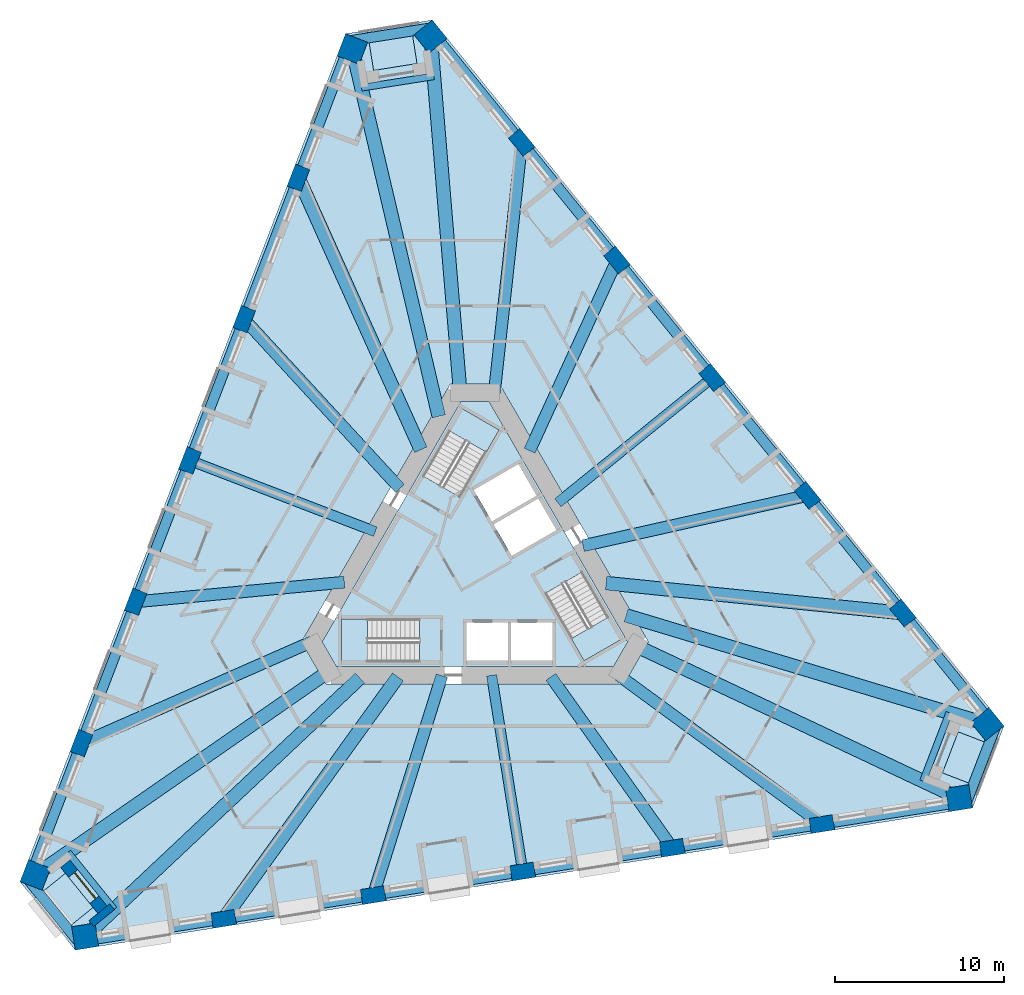
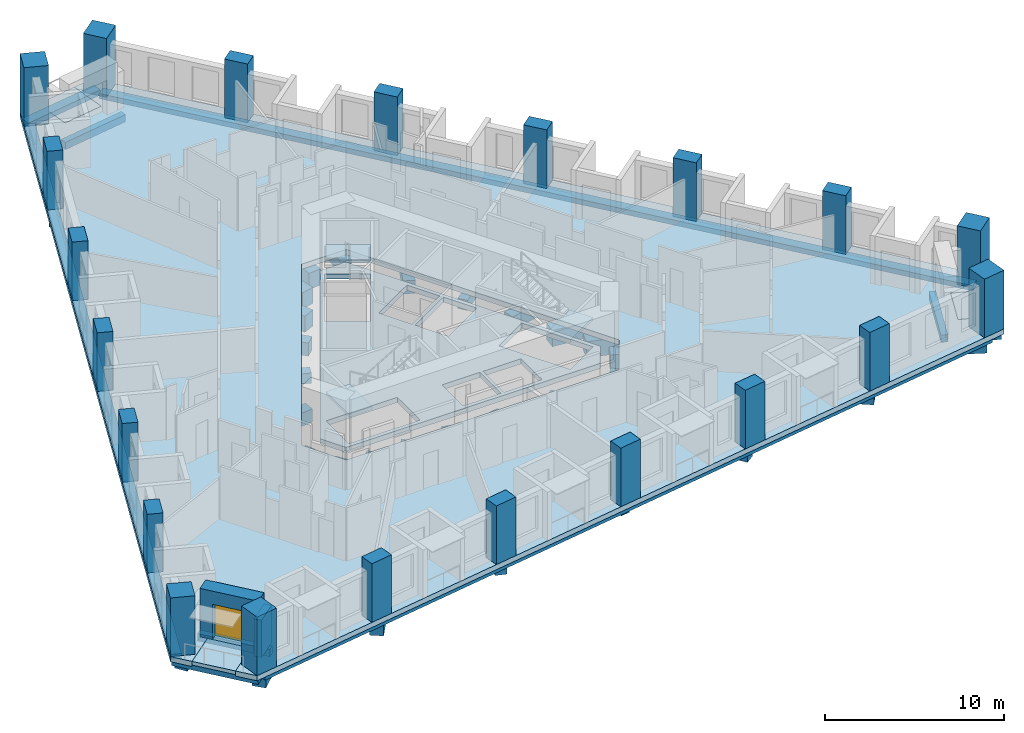
# One storey, part 1 of 14: 30 beams, 21 columns, 8 slabs, 2 walls, 1 door, 1 opening, 3 elements without a shape of their own.
"""IFC4 building model written with IfcOpenShell, lengths in metres."""

from ifc_helpers import new_model, si_unit, direction, frame, frame_2d, origin, origin_2d, place, context, subcontext, project, spatial, polyline, rectangle, outline, extrude, material, layer, layer_set, material_profile, profile_set, type_object, element, fill, aggregate, save


model = new_model("IFC4")

# Units and contexts
model_context = context("Model", 3, precision=1e-05, world=origin(), true_north=direction((0.0, 1.0)))
body_context = subcontext(model_context, "Body", "Model", "MODEL_VIEW")
ifc_project = project(units=[si_unit("LENGTHUNIT", "METRE"), si_unit("AREAUNIT", "SQUARE_METRE"), si_unit("VOLUMEUNIT", "CUBIC_METRE"), si_unit("PLANEANGLEUNIT", "RADIAN"), si_unit("MASSUNIT", "GRAM", prefix="KILO")], contexts=[model_context])

# Site, building, storey
site_placement = place(None, origin())
site = spatial("IfcSite", under=ifc_project, at=site_placement, CompositionType="ELEMENT")
building_placement = place(site_placement, origin())
building = spatial("IfcBuilding", under=site, at=building_placement, Name="Tramontana Tower", CompositionType="ELEMENT")
storey_placement = place(building_placement, frame((0.0, 0.0, 55.199951171875)))
storey = spatial("IfcBuildingStorey", under=building, at=storey_placement, Name="L11", CompositionType="ELEMENT", Elevation=55.199951171875)

# Columns
ifc_material_1 = material(Name="Concrete 70 MPa", Category="concrete")
ifc_material_profile_1 = material_profile(ifc_material_1, rectangle(XDim=1.39990234375, YDim=1.39990234375, at=origin_2d()), Name="Mega column 1400X1400 70 MPa")
ifc_profile_set_1 = profile_set([ifc_material_profile_1], Name="Concrete 70 MPa")
column_type_1 = type_object("IfcColumnType", Name="Mega column 1400X1400 70 MPa", PredefinedType="COLUMN", material=ifc_profile_set_1)
for number, where, z_axis, x_axis, name in (
    (1, (-7.24755859375, 30.7890625, 0.0), (0.0, 0.0, 1.0), (-0.358367949545, -0.933580426497, 0.0), "Mega column C1K1 L11"),
    (2, (-25.98779296875, -18.03125, 0.0), (0.0, 0.0, 1.0), (-0.358367949545, -0.933580426497, 0.0), "Mega column C1K2 L11"),
    (3, (-23.040283203125, -21.671142578125, 0.0), (0.0, 0.0, 1.0), (0.987688340595, 0.15643446504, 0.0), "Mega column C1K3 L11"),
    (4, (28.609375, -13.490478515625, 0.0), (0.0, 0.0, 1.0), (0.987688340595, 0.15643446504, 0.0), "Mega column C1K4 L11"),
    (5, (30.287841796875, -9.117919921875, 0.0), (0.0, 0.0, 1.0), (-0.62932039105, 0.777145961457, 0.0), "Mega column C1K5 L11"),
    (6, (-2.62158203125, 31.521728515625, 0.0), (0.0, 0.0, 1.0), (-0.62932039105, 0.777145961457, 0.0), "Mega column C1K6 L11"),
):
    element("IfcColumn", number, at=place(storey_placement, frame(where, z_axis=z_axis, x_axis=x_axis)), inside=storey, type_object=column_type_1, Name=name, PredefinedType="COLUMN", context=body_context, shape_type="SweptSolid", body=[
        extrude(rectangle(XDim=1.39990234375, YDim=1.39990234375, at=origin_2d()), origin(), (0.0, 0.0, 1.0), 4.0),
    ])
ifc_material_2 = material(Name="Concrete 55 MPa", Category="concrete")
ifc_material_profile_2 = material_profile(ifc_material_2, rectangle(XDim=1.39990234375, YDim=0.89990234375, at=origin_2d()), Name="Pier column 1400X900 55 MPa")
ifc_profile_set_2 = profile_set([ifc_material_profile_2], Name="Concrete 55 MPa")
column_type_2 = type_object("IfcColumnType", Name="Pier column 1400X900 55 MPa", PredefinedType="COLUMN", material=ifc_profile_set_2)
for number, where, z_axis, x_axis, name in (
    (7, (-10.43701171875, 23.177734375, 0.0), (0.0, 0.0, 1.0), (-0.358367949545, -0.933580426497, 0.0), "Pier column C1F01 L11"),
    (8, (-13.64404296875, 14.822998046875, 0.0), (0.0, 0.0, 1.0), (-0.358367949545, -0.933580426497, 0.0), "Pier column C1F02 L11"),
    (9, (-16.85107421875, 6.468505859375, 0.0), (0.0, 0.0, 1.0), (-0.358367949545, -0.933580426497, 0.0), "Pier column C1F03 L11"),
    (10, (-20.05810546875, -1.885986328125, 0.0), (0.0, 0.0, 1.0), (-0.358367949545, -0.933580426497, 0.0), "Pier column C1F04 L11"),
    (11, (-23.26513671875, -10.240478515625, 0.0), (0.0, 0.0, 1.0), (-0.358367949545, -0.933580426497, 0.0), "Pier column C1F05 L11"),
    (12, (-14.853759765625, -20.627685546875, 0.0), (0.0, 0.0, 1.0), (0.987688340595, 0.15643446504, 0.0), "Pier column C1F06 L11"),
    (13, (-6.01513671875, -19.227783203125, 0.0), (0.0, 0.0, 1.0), (0.987688340595, 0.15643446504, 0.0), "Pier column C1F07 L11"),
    (14, (2.82373046875, -17.827880859375, 0.0), (0.0, 0.0, 1.0), (0.987688340595, 0.15643446504, 0.0), "Pier column C1F08 L11"),
    (15, (11.662353515625, -16.427734375, 0.0), (0.0, 0.0, 1.0), (0.987688340595, 0.15643446504, 0.0), "Pier column C1F09 L11"),
    (16, (20.501220703125, -15.02783203125, 0.0), (0.0, 0.0, 1.0), (0.987688340595, 0.15643446504, 0.0), "Pier column C1F10 L11"),
    (17, (25.291015625, -2.550048828125, 0.0), (0.0, 0.0, 1.0), (-0.62932039105, 0.777145961457, 0.0), "Pier column C1F11 L11"),
    (18, (19.6591796875, 4.404541015625, 0.0), (0.0, 0.0, 1.0), (-0.62932039105, 0.777145961457, 0.0), "Pier column C1F12 L11"),
    (19, (14.027587890625, 11.359130859375, 0.0), (0.0, 0.0, 1.0), (-0.62932039105, 0.777145961457, 0.0), "Pier column C1F13 L11"),
    (20, (8.395751953125, 18.31396484375, 0.0), (0.0, 0.0, 1.0), (-0.62932039105, 0.777145961457, 0.0), "Pier column C1F14 L11"),
    (21, (2.763916015625, 25.2685546875, 0.0), (0.0, 0.0, 1.0), (-0.62932039105, 0.777145961457, 0.0), "Pier column C1F15 L11"),
):
    element("IfcColumn", number, at=place(storey_placement, frame(where, z_axis=z_axis, x_axis=x_axis)), inside=storey, type_object=column_type_2, Name=name, PredefinedType="COLUMN", context=body_context, shape_type="SweptSolid", body=[
        extrude(rectangle(XDim=1.39990234375, YDim=0.89990234375, at=origin_2d()), origin(), (0.0, 0.0, 1.0), 4.0),
    ])

# Beams
ifc_material_3 = material(Name="Concrete 40 MPa", Category="concrete")
ifc_material_profile_3 = material_profile(ifc_material_3, rectangle(XDim=0.60009765625, YDim=0.35009765625, at=origin_2d()), Name="RC EDGE BEAM 600X350 40 MPa")
ifc_profile_set_3 = profile_set([ifc_material_profile_3], Name="Concrete 40 MPa")
beam_type_1 = type_object("IfcBeamType", Name="RC EDGE BEAM 600X350 40 MPa", PredefinedType="SPANDREL", material=ifc_profile_set_3)
beam_1_placement = place(storey_placement, frame((-7.48095703125, 30.878662109375, -0.52490234375), z_axis=(-0.358365819965, -0.933581243964, 0.0), x_axis=(0.933581243964, -0.358365819965, 0.0)))
element("IfcBeam", 22, at=beam_1_placement, inside=storey, type_object=beam_type_1, Name="Spandrel beam S0 L11", PredefinedType="SPANDREL", context=body_context, shape_type="SweptSolid", body=[
    extrude(rectangle(XDim=0.60009765625, YDim=0.35009765625, at=origin_2d()), origin(), (0.0, 0.0, 1.0), 52.293701171875),
])
beam_2_placement = place(storey_placement, frame((-23.001220703125, -21.91796875, -0.52490234375), z_axis=(0.987688583718, 0.156432930012, 0.0), x_axis=(-0.156432930012, 0.987688583718, 0.0)))
element("IfcBeam", 23, at=beam_2_placement, inside=storey, type_object=beam_type_1, Name="Spandrel beam S1 L11", PredefinedType="SPANDREL", context=body_context, shape_type="SweptSolid", body=[
    extrude(rectangle(XDim=0.60009765625, YDim=0.35009765625, at=origin_2d()), origin(), (0.0, 0.0, 1.0), 52.29345703125),
])
beam_3_placement = place(storey_placement, frame((30.482177734375, -8.960693359375, -0.52490234375), z_axis=(-0.62931909415, 0.777147011664, 0.0), x_axis=(-0.777147011664, -0.62931909415, 0.0)))
element("IfcBeam", 24, at=beam_3_placement, inside=storey, type_object=beam_type_1, Name="Spandrel beam S2 L11", PredefinedType="SPANDREL", context=body_context, shape_type="SweptSolid", body=[
    extrude(rectangle(XDim=0.60009765625, YDim=0.35009765625, at=origin_2d()), origin(), (0.0, 0.0, 1.0), 52.293701171875),
])
beam_4_placement = place(storey_placement, frame((-2.447509765625, 32.061767578125, -0.52490234375), z_axis=(-0.987692388858, -0.156408903173, 0.0), x_axis=(0.156408903173, -0.987692388858, 0.0)))
element("IfcBeam", 25, at=beam_4_placement, inside=storey, type_object=beam_type_1, Name="Spandrel beam K0 L11", PredefinedType="SPANDREL", context=body_context, shape_type="SweptSolid", body=[
    extrude(rectangle(XDim=0.60009765625, YDim=0.35009765625, at=origin_2d()), origin(), (0.0, 0.0, 1.0), 5.1962890625),
])
for number, where, z_axis, x_axis, name in (
    (26, (-26.54248046875, -18.150634765625, -0.52490234375), (0.629325274503, -0.777142006889, 0.0), (0.777142006889, 0.629325274503, 0.0), "Spandrel beam K1 L11"),
    (27, (28.990234375, -13.9111328125, -0.52490234375), (0.358368174287, 0.933580340227, 0.0), (-0.933580340227, 0.358368174287, 0.0), "Spandrel beam K2 L11"),
):
    element("IfcBeam", number, at=place(storey_placement, frame(where, z_axis=z_axis, x_axis=x_axis)), inside=storey, type_object=beam_type_1, Name=name, PredefinedType="SPANDREL", context=body_context, shape_type="SweptSolid", body=[
        extrude(rectangle(XDim=0.60009765625, YDim=0.35009765625, at=origin_2d()), origin(), (0.0, 0.0, 1.0), 5.196044921875),
    ])
ifc_material_4 = material(Name="Concrete 40 MPa", Category="concrete")
ifc_material_profile_4 = material_profile(ifc_material_4, rectangle(XDim=0.60009765625, YDim=0.699951171875, at=origin_2d()), Name="RC GIRDER 600X700 40 MPa")
ifc_profile_set_4 = profile_set([ifc_material_profile_4], Name="Concrete 40 MPa")
beam_type_2 = type_object("IfcBeamType", Name="RC GIRDER 600X700 40 MPa", PredefinedType="BEAM", material=ifc_profile_set_4)
beam_5_placement = place(storey_placement, frame((-16.85107421875, 6.468505859375, -0.699951171875), z_axis=(0.933580146246, -0.358368679624, 0.0), x_axis=(0.358368679624, 0.933580146246, 0.0)))
element("IfcBeam", 28, at=beam_5_placement, inside=storey, type_object=beam_type_2, Name="Radial girder C1F03 L11", PredefinedType="BEAM", context=body_context, shape_type="SweptSolid", body=[
    extrude(rectangle(XDim=0.60009765625, YDim=0.699951171875, at=origin_2d()), origin(), (0.0, 0.0, 1.0), 11.74072265625),
])
for number, where, z_axis, x_axis, name in (
    (29, (2.823486328125, -17.827880859375, -0.699951171875), (-0.156412100064, 0.9876918826, 0.0), (-0.9876918826, -0.156412100064, 0.0), "Radial girder C1F08 L11"),
    (30, (14.027587890625, 11.359130859375, -0.699951171875), (-0.777154793409, -0.62930948434, 0.0), (0.62930948434, -0.777154793409, 0.0), "Radial girder C1F13 L11"),
):
    element("IfcBeam", number, at=place(storey_placement, frame(where, z_axis=z_axis, x_axis=x_axis)), inside=storey, type_object=beam_type_2, Name=name, PredefinedType="BEAM", context=body_context, shape_type="SweptSolid", body=[
        extrude(rectangle(XDim=0.60009765625, YDim=0.699951171875, at=origin_2d()), origin(), (0.0, 0.0, 1.0), 11.740966796875),
    ])
ifc_material_5 = material(Name="Concrete 40 MPa", Category="concrete")
ifc_material_profile_5 = material_profile(ifc_material_5, rectangle(XDim=0.699951171875, YDim=0.89990234375, at=origin_2d()), Name="RC GIRDER 700X900 40 MPa")
ifc_profile_set_5 = profile_set([ifc_material_profile_5], Name="Concrete 40 MPa")
beam_type_3 = type_object("IfcBeamType", Name="RC GIRDER 700X900 40 MPa", PredefinedType="BEAM", material=ifc_profile_set_5)
beam_6_placement = place(storey_placement, frame((-13.64404296875, 14.822998046875, -0.800048828125), z_axis=(0.677237750705, -0.735764248261, 0.0), x_axis=(0.735764248261, 0.677237750705, 0.0)))
element("IfcBeam", 31, at=beam_6_placement, inside=storey, type_object=beam_type_3, Name="Radial girder C1F02 L11", PredefinedType="BEAM", context=body_context, shape_type="SweptSolid", body=[
    extrude(rectangle(XDim=0.699951171875, YDim=0.89990234375, at=origin_2d()), origin(), (0.0, 0.0, 1.0), 13.598876953125),
])
beam_7_placement = place(storey_placement, frame((-20.05810546875, -1.885986328125, -0.800048828125), z_axis=(0.995608960431, 0.093609817375, 0.0), x_axis=(-0.093609817375, 0.995608960431, 0.0)))
element("IfcBeam", 32, at=beam_7_placement, inside=storey, type_object=beam_type_3, Name="Radial girder C1F04 L11", PredefinedType="BEAM", context=body_context, shape_type="SweptSolid", body=[
    extrude(rectangle(XDim=0.699951171875, YDim=0.89990234375, at=origin_2d()), origin(), (0.0, 0.0, 1.0), 12.3935546875),
])
beam_8_placement = place(storey_placement, frame((-23.26513671875, -10.240478515625, -0.800048828125), z_axis=(0.915262520168, 0.402857939199, 0.0), x_axis=(-0.402857939199, 0.915262520168, 0.0)))
element("IfcBeam", 33, at=beam_8_placement, inside=storey, type_object=beam_type_3, Name="Radial girder C1F05 L11", PredefinedType="BEAM", context=body_context, shape_type="SweptSolid", body=[
    extrude(rectangle(XDim=0.699951171875, YDim=0.89990234375, at=origin_2d()), origin(), (0.0, 0.0, 1.0), 14.87841796875),
])
beam_9_placement = place(storey_placement, frame((-6.01513671875, -19.227783203125, -0.800048828125), z_axis=(0.298567329493, 0.954388573779, 0.0), x_axis=(-0.954388573779, 0.298567329493, 0.0)))
element("IfcBeam", 34, at=beam_9_placement, inside=storey, type_object=beam_type_3, Name="Radial girder C1F07 L11", PredefinedType="BEAM", context=body_context, shape_type="SweptSolid", body=[
    extrude(rectangle(XDim=0.699951171875, YDim=0.89990234375, at=origin_2d()), origin(), (0.0, 0.0, 1.0), 13.599365234375),
])
beam_10_placement = place(storey_placement, frame((11.662353515625, -16.427978515625, -0.800048828125), z_axis=(-0.578872935906, 0.815417760461, 0.0), x_axis=(-0.815417760461, -0.578872935906, 0.0)))
element("IfcBeam", 35, at=beam_10_placement, inside=storey, type_object=beam_type_3, Name="Radial girder C1F09 L11", PredefinedType="BEAM", context=body_context, shape_type="SweptSolid", body=[
    extrude(rectangle(XDim=0.699951171875, YDim=0.89990234375, at=origin_2d()), origin(), (0.0, 0.0, 1.0), 12.3935546875),
])
beam_11_placement = place(storey_placement, frame((20.501220703125, -15.02783203125, -0.800048828125), z_axis=(-0.806528613825, 0.591195056712, 0.0), x_axis=(-0.591195056712, -0.806528613825, 0.0)))
element("IfcBeam", 36, at=beam_11_placement, inside=storey, type_object=beam_type_3, Name="Radial girder C1F10 L11", PredefinedType="BEAM", context=body_context, shape_type="SweptSolid", body=[
    extrude(rectangle(XDim=0.699951171875, YDim=0.89990234375, at=origin_2d()), origin(), (0.0, 0.0, 1.0), 14.878662109375),
])
beam_12_placement = place(storey_placement, frame((19.6591796875, 4.404541015625, -0.800048828125), z_axis=(-0.975807938002, -0.218629522556, 0.0), x_axis=(0.218629522556, -0.975807938002, 0.0)))
element("IfcBeam", 37, at=beam_12_placement, inside=storey, type_object=beam_type_3, Name="Radial girder C1F12 L11", PredefinedType="BEAM", context=body_context, shape_type="SweptSolid", body=[
    extrude(rectangle(XDim=0.699951171875, YDim=0.89990234375, at=origin_2d()), origin(), (0.0, 0.0, 1.0), 13.59912109375),
])
beam_13_placement = place(storey_placement, frame((8.395751953125, 18.31396484375, -0.800048828125), z_axis=(-0.416724572993, -0.909032799333, 0.0), x_axis=(0.909032799333, -0.416724572993, 0.0)))
element("IfcBeam", 38, at=beam_13_placement, inside=storey, type_object=beam_type_3, Name="Radial girder C1F14 L11", PredefinedType="BEAM", context=body_context, shape_type="SweptSolid", body=[
    extrude(rectangle(XDim=0.699951171875, YDim=0.89990234375, at=origin_2d()), origin(), (0.0, 0.0, 1.0), 12.393798828125),
])
beam_14_placement = place(storey_placement, frame((2.763916015625, 25.2685546875, -0.800048828125), z_axis=(-0.108724057734, -0.994071968858, 0.0), x_axis=(0.994071968858, -0.108724057734, 0.0)))
element("IfcBeam", 39, at=beam_14_placement, inside=storey, type_object=beam_type_3, Name="Radial girder C1F15 L11", PredefinedType="BEAM", context=body_context, shape_type="SweptSolid", body=[
    extrude(rectangle(XDim=0.699951171875, YDim=0.89990234375, at=origin_2d()), origin(), (0.0, 0.0, 1.0), 14.878662109375),
])
ifc_material_6 = material(Name="Concrete 40 MPa", Category="concrete")
ifc_material_profile_6 = material_profile(ifc_material_6, rectangle(XDim=0.800048828125, YDim=1.10009765625, at=origin_2d()), Name="RC GIRDER 800X1100 40 MPa")
ifc_profile_set_6 = profile_set([ifc_material_profile_6], Name="Concrete 40 MPa")
beam_type_4 = type_object("IfcBeamType", Name="RC GIRDER 800X1100 40 MPa", PredefinedType="BEAM", material=ifc_profile_set_6)
beam_15_placement = place(storey_placement, frame((-7.24755859375, 30.7890625, -0.89990234375), z_axis=(0.229129631405, -0.973395917401, 0.0), x_axis=(0.973395917401, 0.229129631405, 0.0)))
element("IfcBeam", 40, at=beam_15_placement, inside=storey, type_object=beam_type_4, Name="Radial girder C1K1 L11", PredefinedType="BEAM", context=body_context, shape_type="SweptSolid", body=[
    extrude(rectangle(XDim=0.800048828125, YDim=1.10009765625, at=origin_2d()), origin(), (0.0, 0.0, 1.0), 22.30322265625),
])
beam_16_placement = place(storey_placement, frame((-10.43701171875, 23.177490234375, -0.89990234375), z_axis=(0.410600793892, -0.91181521596, 0.0), x_axis=(0.91181521596, 0.410600793892, 0.0)))
element("IfcBeam", 41, at=beam_16_placement, inside=storey, type_object=beam_type_4, Name="Radial girder C1F01 L11", PredefinedType="BEAM", context=body_context, shape_type="SweptSolid", body=[
    extrude(rectangle(XDim=0.800048828125, YDim=1.10009765625, at=origin_2d()), origin(), (0.0, 0.0, 1.0), 17.626220703125),
])
beam_17_placement = place(storey_placement, frame((-25.98779296875, -18.03125, -0.89990234375), z_axis=(0.821603252741, 0.570059729402, 0.0), x_axis=(-0.570059729402, 0.821603252741, 0.0)))
element("IfcBeam", 42, at=beam_17_placement, inside=storey, type_object=beam_type_4, Name="Radial girder C1K2 L11", PredefinedType="BEAM", context=body_context, shape_type="SweptSolid", body=[
    extrude(rectangle(XDim=0.800048828125, YDim=1.10009765625, at=origin_2d()), origin(), (0.0, 0.0, 1.0), 21.11767578125),
])
beam_18_placement = place(storey_placement, frame((-23.040283203125, -21.671142578125, -0.89990234375), z_axis=(0.728416554247, 0.685134529489, 0.0), x_axis=(-0.685134529489, 0.728416554247, 0.0)))
element("IfcBeam", 43, at=beam_18_placement, inside=storey, type_object=beam_type_4, Name="Radial girder C1K3 L11", PredefinedType="BEAM", context=body_context, shape_type="SweptSolid", body=[
    extrude(rectangle(XDim=0.800048828125, YDim=1.10009765625, at=origin_2d()), origin(), (0.0, 0.0, 1.0), 22.30322265625),
])
beam_19_placement = place(storey_placement, frame((-14.85400390625, -20.627685546875, -0.89990234375), z_axis=(0.584356173005, 0.81149729702, 0.0), x_axis=(-0.81149729702, 0.584356173005, 0.0)))
element("IfcBeam", 44, at=beam_19_placement, inside=storey, type_object=beam_type_4, Name="Radial girder C1F06 L11", PredefinedType="BEAM", context=body_context, shape_type="SweptSolid", body=[
    extrude(rectangle(XDim=0.800048828125, YDim=1.10009765625, at=origin_2d()), origin(), (0.0, 0.0, 1.0), 17.626220703125),
])
beam_20_placement = place(storey_placement, frame((28.609375, -13.490478515625, -0.89990234375), z_axis=(-0.904488564757, 0.426497873645, 0.0), x_axis=(-0.426497873645, -0.904488564757, 0.0)))
element("IfcBeam", 45, at=beam_20_placement, inside=storey, type_object=beam_type_4, Name="Radial girder C1K4 L11", PredefinedType="BEAM", context=body_context, shape_type="SweptSolid", body=[
    extrude(rectangle(XDim=0.800048828125, YDim=1.10009765625, at=origin_2d()), origin(), (0.0, 0.0, 1.0), 21.11767578125),
])
beam_21_placement = place(storey_placement, frame((30.287841796875, -9.117919921875, -0.89990234375), z_axis=(-0.957551991149, 0.288260618619, 0.0), x_axis=(-0.288260618619, -0.957551991149, 0.0)))
element("IfcBeam", 46, at=beam_21_placement, inside=storey, type_object=beam_type_4, Name="Radial girder C1K5 L11", PredefinedType="BEAM", context=body_context, shape_type="SweptSolid", body=[
    extrude(rectangle(XDim=0.800048828125, YDim=1.10009765625, at=origin_2d()), origin(), (0.0, 0.0, 1.0), 22.303466796875),
])
beam_22_placement = place(storey_placement, frame((25.291015625, -2.550048828125, -0.89990234375), z_axis=(-0.99495498196, 0.100322399654, 0.0), x_axis=(-0.100322399654, -0.99495498196, 0.0)))
element("IfcBeam", 47, at=beam_22_placement, inside=storey, type_object=beam_type_4, Name="Radial girder C1F11 L11", PredefinedType="BEAM", context=body_context, shape_type="SweptSolid", body=[
    extrude(rectangle(XDim=0.800048828125, YDim=1.10009765625, at=origin_2d()), origin(), (0.0, 0.0, 1.0), 17.626220703125),
])
beam_23_placement = place(storey_placement, frame((-2.62158203125, 31.521728515625, -0.89990234375), z_axis=(0.082880913658, -0.996559458412, 0.0), x_axis=(0.996559458412, 0.082880913658, 0.0)))
element("IfcBeam", 48, at=beam_23_placement, inside=storey, type_object=beam_type_4, Name="Radial girder C1K6 L11", PredefinedType="BEAM", context=body_context, shape_type="SweptSolid", body=[
    extrude(rectangle(XDim=0.800048828125, YDim=1.10009765625, at=origin_2d()), origin(), (0.0, 0.0, 1.0), 21.11767578125),
])
ifc_material_7 = material(Name="Concrete 40 MPa", Category="concrete")
ifc_material_profile_7 = material_profile(ifc_material_7, rectangle(XDim=0.39990234375, YDim=0.5, at=origin_2d()), Name="RC TRIM BEAM 400X500 40 MPa")
ifc_profile_set_7 = profile_set([ifc_material_profile_7], Name="Concrete 40 MPa")
beam_type_5 = type_object("IfcBeamType", Name="RC TRIM BEAM 400X500 40 MPa", PredefinedType="JOIST", material=ifc_profile_set_7)
for number, where, z_axis, x_axis, name in (
    (49, (-2.4267578125, 29.1796875, -0.599853515625), (-0.987688889444, -0.156430999708, 0.0), (0.156430999708, -0.987688889444, 0.0), "Trimmer beam K0 L11"),
    (50, (-24.056884765625, -16.69140625, -0.599853515625), (0.629326191545, -0.777141264273, 0.0), (0.777141264273, 0.629326191545, 0.0), "Trimmer beam K1 L11"),
    (51, (26.483642578125, -12.48828125, -0.599853515625), (0.358345094406, 0.933589199442, 0.0), (-0.933589199442, 0.358345094406, 0.0), "Trimmer beam K2 L11"),
):
    element("IfcBeam", number, at=place(storey_placement, frame(where, z_axis=z_axis, x_axis=x_axis)), inside=storey, type_object=beam_type_5, Name=name, PredefinedType="JOIST", context=body_context, shape_type="SweptSolid", body=[
        extrude(rectangle(XDim=0.39990234375, YDim=0.5, at=origin_2d()), origin(), (0.0, 0.0, 1.0), 4.335693359375),
    ])

# Slabs
ifc_material_8 = material(Name="Precast concrete 50 MPa", Category="concrete")
ifc_layer_1 = layer(ifc_material_8, 0.25)
ifc_layer_set_1 = layer_set([ifc_layer_1], Name="LT1 Loggia floor tray 250")
slab_type_1 = type_object("IfcSlabType", Name="LT1 Loggia floor tray 250", PredefinedType="FLOOR", material=ifc_layer_set_1)
slab_1_placement = place(storey_placement, frame((0.0, 0.0, -0.25)))
element("IfcSlab", 52, at=slab_1_placement, inside=storey, type_object=slab_type_1, Name="Corner loggia floor L11 K10", PredefinedType="FLOOR", context=body_context, shape_type="SweptSolid", body=[
    extrude(outline(polyline([(-3.800048828125, 32.30322265625), (-3.424560546875, 29.932861328125), (-5.99267578125, 29.526123046875), (-6.3681640625, 31.896484375), (-3.800048828125, 32.30322265625)])), origin(), (0.0, 0.0, 1.0), 0.25),
])
slab_2_placement = place(storey_placement, frame((0.0, 0.0, -0.25)))
element("IfcSlab", 53, at=slab_2_placement, inside=storey, type_object=slab_type_1, Name="Corner loggia floor L11 K11", PredefinedType="FLOOR", context=body_context, shape_type="SweptSolid", body=[
    extrude(outline(polyline([(-26.075439453125, -19.442626953125), (-24.210205078125, -17.932373046875), (-22.573974609375, -19.952880859375), (-24.439208984375, -21.463134765625), (-26.075439453125, -19.442626953125)])), origin(), (0.0, 0.0, 1.0), 0.25),
])
slab_3_placement = place(storey_placement, frame((0.0, 0.0, -0.25)))
element("IfcSlab", 54, at=slab_3_placement, inside=storey, type_object=slab_type_1, Name="Corner loggia floor L11 K12", PredefinedType="FLOOR", context=body_context, shape_type="SweptSolid", body=[
    extrude(outline(polyline([(29.87548828125, -12.860595703125), (27.635009765625, -12.00048828125), (28.566650390625, -9.5732421875), (30.80712890625, -10.433349609375), (29.87548828125, -12.860595703125)])), origin(), (0.0, 0.0, 1.0), 0.25),
])
ifc_material_9 = material(Name="Concrete 40 MPa", Category="concrete")
ifc_layer_2 = layer(ifc_material_9, 0.35009765625)
ifc_layer_set_2 = layer_set([ifc_layer_2], Name="PT FLAT SLAB 350 40 MPa")
slab_type_2 = type_object("IfcSlabType", Name="PT FLAT SLAB 350 40 MPa", PredefinedType="FLOOR", material=ifc_layer_set_2)
slab_4_placement = place(storey_placement, frame((0.0, 0.0, -0.349853515625)))
element("IfcSlab", 55, at=slab_4_placement, inside=storey, type_object=slab_type_2, Name="Floor slab L11", PredefinedType="FLOOR", context=body_context, shape_type="SweptSolid", body=[
    extrude(outline(polyline([(30.80712890625, -10.433349609375), (28.566650390625, -9.5732421875), (27.635009765625, -12.00048828125), (29.87548828125, -12.860595703125), (29.410400390625, -14.072509765625), (-23.622314453125, -22.471923828125), (-24.439208984375, -21.463134765625), (-22.573974609375, -19.952880859375), (-24.210205078125, -17.932373046875), (-26.075439453125, -19.442626953125), (-26.892333984375, -18.433837890625), (-7.650146484375, 31.693359375), (-6.3681640625, 31.896484375), (-5.99267578125, 29.526123046875), (-3.4248046875, 29.932861328125), (-3.800048828125, 32.30322265625), (-2.51806640625, 32.50634765625), (31.2724609375, -9.221435546875), (30.80712890625, -10.433349609375)]), holes=[polyline([(-10.248046875, -4.25), (-8.8046875, -6.75), (8.8046875, -6.75), (10.248046875, -4.25), (1.443359375, 11.0), (-1.443359375, 11.0), (-10.248046875, -4.25)])]), origin(), (0.0, 0.0, 1.0), 0.349853515625),
])
slab_5_placement = place(storey_placement, frame((0.0, 0.0, -0.349853515625)))
element("IfcSlab", 56, at=slab_5_placement, inside=storey, type_object=slab_type_2, Name="Core floor slab L11", PredefinedType="FLOOR", context=body_context, shape_type="SweptSolid", body=[
    extrude(outline(polyline([(9.035400390625, -4.25), (8.198486328125, -5.699951171875), (-8.198486328125, -5.699951171875), (-9.035400390625, -4.25), (-0.837158203125, 9.949951171875), (0.837158203125, 9.949951171875), (9.035400390625, -4.25)]), holes=[polyline([(8.659912109375, -4.099365234375), (6.35986328125, -0.115478515625), (4.151611328125, -1.390625), (6.451416015625, -5.374267578125), (8.659912109375, -4.099365234375)]), polyline([(3.829833984375, 4.2666015625), (1.101806640625, 2.69140625), (2.177001953125, 0.82958984375), (4.90478515625, 2.404541015625), (3.829833984375, 4.2666015625)]), polyline([(4.590087890625, -3.10009765625), (2.139892578125, -3.10009765625), (2.139892578125, -5.449951171875), (4.590087890625, -5.449951171875), (4.590087890625, -3.10009765625)]), polyline([(2.65478515625, 6.3017578125), (-0.072998046875, 4.726806640625), (1.001953125, 2.86474609375), (3.729736328125, 4.439697265625), (2.65478515625, 6.3017578125)]), polyline([(1.93994140625, -5.449951171875), (1.93994140625, -3.10009765625), (-0.510009765625, -3.10009765625), (-0.510009765625, -5.449951171875), (1.93994140625, -5.449951171875)]), polyline([(-0.77978515625, 9.54931640625), (-3.079833984375, 5.565673828125), (-0.87158203125, 4.29052734375), (1.428466796875, 8.2744140625), (-0.77978515625, 9.54931640625)]), polyline([(-7.8798828125, -5.449951171875), (-3.280029296875, -5.449951171875), (-3.280029296875, -2.89990234375), (-7.8798828125, -2.89990234375), (-7.8798828125, -5.449951171875)])]), origin(), (0.0, 0.0, 1.0), 0.349853515625),
])

# Stair, slab
ifc_material_10 = material(Name="Concrete 40 MPa", Category="concrete")
stair_type = type_object("IfcStairType", Name="EXIT STAIR 24 RISERS", PredefinedType="HALF_TURN_STAIR", material=ifc_material_10)
stair_1_placement = place(storey_placement, origin())
stair_1 = element("IfcStair", 57, at=stair_1_placement, inside=storey, type_object=stair_type, Name="L11 Exit stair ST1", PredefinedType="HALF_TURN_STAIR")
ifc_material_11 = material(Name="Concrete 40 MPa", Category="concrete")
ifc_layer_3 = layer(ifc_material_11, 0.199951171875)
ifc_layer_set_3 = layer_set([ifc_layer_3], Name="STAIR LANDING 200")
slab_type_3 = type_object("IfcSlabType", Name="STAIR LANDING 200", PredefinedType="LANDING", material=ifc_layer_set_3)
slab_6_placement = place(storey_placement, frame((0.0, 0.0, 1.800048828125)))
slab_6 = element("IfcSlab", 58, at=slab_6_placement, type_object=slab_type_3, Name="ST1 landing 1", PredefinedType="LANDING", context=body_context, shape_type="SweptSolid", body=[
    extrude(outline(polyline([(0.66845703125, 6.9580078125), (1.428466796875, 8.274169921875), (-0.77978515625, 9.54931640625), (-1.539794921875, 8.23291015625), (0.66845703125, 6.9580078125)])), origin(), (0.0, 0.0, 1.0), 0.199951171875),
])
aggregate(stair_1, [slab_6])

stair_2_placement = place(storey_placement, origin())
stair_2 = element("IfcStair", 59, at=stair_2_placement, inside=storey, type_object=stair_type, Name="L11 Exit stair ST2", PredefinedType="HALF_TURN_STAIR")
slab_7_placement = place(storey_placement, frame((0.0, 0.0, 1.800048828125)))
slab_7 = element("IfcSlab", 60, at=slab_7_placement, type_object=slab_type_3, Name="ST2 landing 1", PredefinedType="LANDING", context=body_context, shape_type="SweptSolid", body=[
    extrude(outline(polyline([(-6.360107421875, -2.89990234375), (-7.8798828125, -2.89990234375), (-7.8798828125, -5.449951171875), (-6.360107421875, -5.449951171875), (-6.360107421875, -2.89990234375)])), origin(), (0.0, 0.0, 1.0), 0.199951171875),
])
aggregate(stair_2, [slab_7])

stair_3_placement = place(storey_placement, origin())
stair_3 = element("IfcStair", 61, at=stair_3_placement, inside=storey, type_object=stair_type, Name="L11 Exit stair ST3", PredefinedType="HALF_TURN_STAIR")
slab_8_placement = place(storey_placement, frame((0.0, 0.0, 1.800048828125)))
slab_8 = element("IfcSlab", 62, at=slab_8_placement, type_object=slab_type_3, Name="ST3 landing 1", PredefinedType="LANDING", context=body_context, shape_type="SweptSolid", body=[
    extrude(outline(polyline([(5.69140625, -4.057861328125), (6.451416015625, -5.374267578125), (8.659912109375, -4.099365234375), (7.89990234375, -2.782958984375), (5.69140625, -4.057861328125)])), origin(), (0.0, 0.0, 1.0), 0.199951171875),
])
aggregate(stair_3, [slab_8])

# Wall
ifc_material_12 = material(Name="Precast concrete 60 MPa", Category="concrete")
ifc_layer_4 = layer(ifc_material_12, 0.449951171875)
ifc_layer_set_4 = layer_set([ifc_layer_4], Name="Precast concrete 60 MPa, 450 mm")
wall_type_1 = type_object("IfcWallType", Name="EW1 Stone-faced precast wall 450", PredefinedType="SOLIDWALL", material=ifc_layer_set_4)
wall_1_placement = place(storey_placement, frame((-22.677001953125, -20.90478515625, 0.0), z_axis=(0.0, 0.0, 1.0), x_axis=(0.777205264571, 0.629247150747, 0.0)))
element("IfcWall", 63, at=wall_1_placement, inside=storey, type_object=wall_type_1, Name="Corner loggia side wall L11 K11l", PredefinedType="SOLIDWALL", context=body_context, shape_type="SweptSolid", body=[
    extrude(rectangle(XDim=1.5791015625, YDim=0.449951171875, at=frame_2d((0.78955078125, 0.0))), origin(), (0.0, 0.0, 1.0), 2.550048828125),
])

# Wall, opening, door
ifc_material_13 = material(Name="Precast concrete 60 MPa", Category="concrete")
ifc_layer_5 = layer(ifc_material_13, 0.89990234375)
ifc_layer_set_5 = layer_set([ifc_layer_5], Name="EW2 Stone-faced corner loggia wall 900")
wall_type_2 = type_object("IfcWallType", Name="EW2 Stone-faced corner loggia wall 900", PredefinedType="SOLIDWALL", material=ifc_layer_set_5)
wall_2_placement = place(storey_placement, frame((-21.941162109375, -20.019287109375, 0.0), z_axis=(0.0, 0.0, 1.0), x_axis=(-0.629328651904, 0.777139271876, 0.0)))
wall_2 = element("IfcWall", 64, at=wall_2_placement, inside=storey, type_object=wall_type_2, Name="Corner loggia wall L11 K11", PredefinedType="SOLIDWALL", context=body_context, shape_type="SweptSolid", body=[
    extrude(rectangle(XDim=3.5, YDim=0.89990234375, at=frame_2d((1.75, 0.0))), origin(), (0.0, 0.0, 1.0), 3.300048828125),
])
opening_placement = place(wall_2_placement, frame((0.75, 0.0, 0.0)))
opening = element("IfcOpeningElement", 65, at=opening_placement, cuts=wall_2, Name="Opening BD-11C", PredefinedType="OPENING", context=body_context, shape_type="SweptSolid", body=[
    extrude(rectangle(XDim=2.0, YDim=2.39990234375, at=frame_2d((1.0, 1.199951171875))), frame((0.0, 0.4599609375, 0.0), z_axis=(0.0, -1.0, 0.0), x_axis=(1.0, 0.0, 0.0)), (0.0, 0.0, 1.0), 0.919921875),
])
ifc_material_14 = material(Name="Aluminum frame, double glazing unit", Category="aluminium")
door_type = type_object("IfcDoorType", Name="BC1 Sliding door 2 x 2.4", OperationType="SLIDING_TO_LEFT", PredefinedType="DOOR", material=ifc_material_14)
door_placement = place(opening_placement, origin())
door = element("IfcDoor", 66, at=door_placement, inside=storey, type_object=door_type, Name="Corner loggia door L11 K11", OperationType="SLIDING_TO_LEFT", OverallHeight=2.39990234375, OverallWidth=2.0, PredefinedType="DOOR", context=body_context, shape_type="SweptSolid", body=[
    extrude(rectangle(XDim=2.0, YDim=2.39990234375, at=frame_2d((1.0, 1.199951171875))), frame((0.0, 0.02490234375, 0.0), z_axis=(0.0, -1.0, 0.0), x_axis=(1.0, 0.0, 0.0)), (0.0, 0.0, 1.0), 0.050048828125),
])
fill(opening, door)

save(model, "model.ifc")
